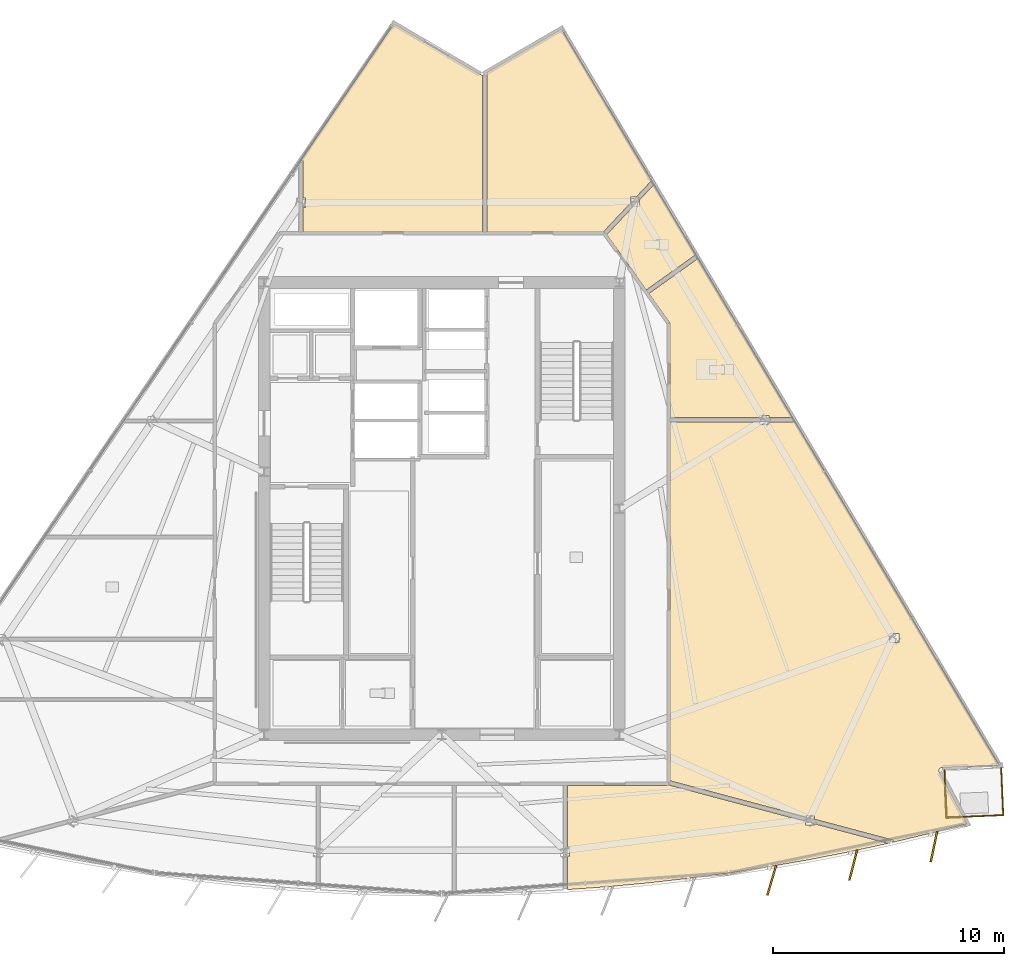
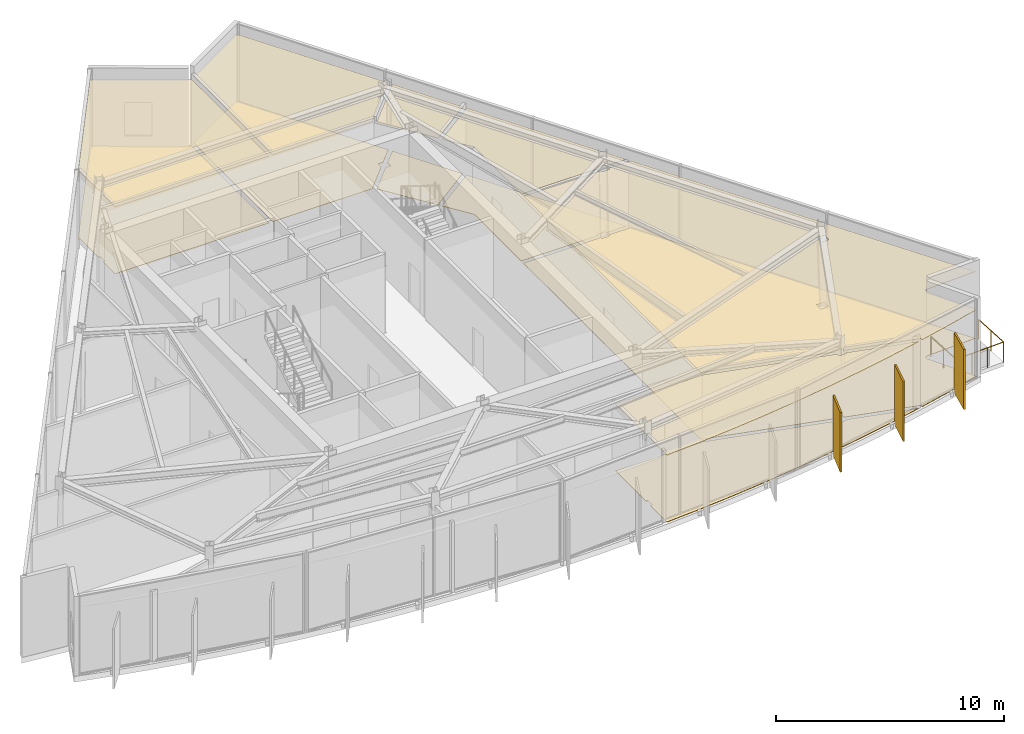
# One storey, part 11 of 12: 12 coverings, 3 railings, 3 shading devices.
"""IFC4 building model written with IfcOpenShell, lengths in metres."""

from ifc_helpers import new_model, si_unit, direction, frame, origin, origin_2d, place, context, subcontext, project, spatial, polyline, rectangle, circle, outline, extrude, material, layer, layer_set, type_object, element, save


model = new_model("IFC4")

# Units and contexts
model_context = context("Model", 3, precision=1e-05, world=origin(), true_north=direction((0.0, 1.0)))
body_context = subcontext(model_context, "Body", "Model", "MODEL_VIEW")
ifc_project = project(units=[si_unit("LENGTHUNIT", "METRE"), si_unit("AREAUNIT", "SQUARE_METRE"), si_unit("VOLUMEUNIT", "CUBIC_METRE"), si_unit("PLANEANGLEUNIT", "RADIAN"), si_unit("MASSUNIT", "GRAM", prefix="KILO")], contexts=[model_context])

# Site, building, storey
site_placement = place(None, origin())
site = spatial("IfcSite", under=ifc_project, at=site_placement, CompositionType="ELEMENT")
building_placement = place(site_placement, origin())
building = spatial("IfcBuilding", under=site, at=building_placement, Name="Savorim Split Tower", CompositionType="ELEMENT")
storey_placement = place(building_placement, frame((0.0, 0.0, 246.300048828125)))
storey = spatial("IfcBuildingStorey", under=building, at=storey_placement, Name="L65", CompositionType="ELEMENT", Elevation=246.300048828125)

# Coverings
ifc_material_1 = material(Name="Mineral Fibre Acoustic Ceiling")
ifc_layer_1 = layer(ifc_material_1, 0.02490234375)
ifc_layer_set_1 = layer_set([ifc_layer_1], Name="COV-CEIL-25")
covering_type_1 = type_object("IfcCoveringType", Name="COV-CEIL-25", PredefinedType="CEILING", material=ifc_layer_set_1)
covering_1_placement = place(storey_placement, frame((0.0, 0.0, 3.570068359375)))
element("IfcCovering", 1, at=covering_1_placement, inside=storey, type_object=covering_type_1, Name="L65 Co-Working Commons Acoustic Ceiling", PredefinedType="CEILING", context=body_context, shape_type="SweptSolid", body=[
    extrude(outline(polyline([(12.443359375, -15.390380859375), (14.2060546875, -15.117919921875), (15.962646484375, -14.80908203125), (17.712890625, -14.464599609375), (19.347900390625, -14.107666015625), (16.16162109375, -13.259765625), (16.16162109375, -13.304931640625), (15.767578125, -13.304931640625), (15.767578125, -13.15478515625), (9.859375, -11.58251953125), (9.819091796875, -11.57177734375), (9.81591796875, -11.573486328125), (9.8037109375, -11.579345703125), (9.79052734375, -11.583984375), (9.77734375, -11.58740234375), (9.763671875, -11.58935546875), (9.75, -11.590087890625), (5.445556640625, -11.590087890625), (5.445556640625, -14.275634765625), (5.547607421875, -14.275634765625), (5.547607421875, -14.667724609375), (5.445556640625, -14.667724609375), (5.445556640625, -16.068603515625), (5.445556640625, -16.112060546875), (7.126953125, -15.991455078125), (8.90283203125, -15.827392578125), (10.67529296875, -15.626953125), (12.443359375, -15.390380859375)])), origin(), (0.0, 0.0, 1.0), 0.02490234375),
])
covering_2_placement = place(storey_placement, frame((0.0, 0.0, 3.570068359375)))
element("IfcCovering", 2, at=covering_2_placement, inside=storey, type_object=covering_type_1, Name="L65 Co-Working Commons Acoustic Ceiling", PredefinedType="CEILING", context=body_context, shape_type="SweptSolid", body=[
    extrude(outline(polyline([(21.639404296875, -10.830810546875), (21.650634765625, -10.828857421875), (21.662109375, -10.82763671875), (24.16357421875, -10.72119140625), (15.300048828125, 4.184814453125), (15.300048828125, 4.151611328125), (14.192138671875, 4.151611328125), (14.192138671875, 4.050537109375), (13.798095703125, 4.050537109375), (13.798095703125, 4.151611328125), (9.889892578125, 4.151611328125), (9.889892578125, -11.39404296875), (15.767578125, -12.958251953125), (15.767578125, -12.9130859375), (16.16162109375, -12.9130859375), (16.16162109375, -13.06298828125), (19.469482421875, -13.943603515625), (19.561279296875, -13.968017578125), (19.535400390625, -14.065185546875), (21.18994140625, -13.668212890625), (22.769287109375, -13.25537109375), (21.5615234375, -11.00439453125), (21.556640625, -10.993896484375), (21.552734375, -10.983154296875), (21.5498046875, -10.971923828125), (21.548095703125, -10.96044921875), (21.54736328125, -10.948974609375), (21.547607421875, -10.9375), (21.54931640625, -10.926025390625), (21.552001953125, -10.914794921875), (21.5556640625, -10.90380859375), (21.560302734375, -10.893310546875), (21.56591796875, -10.88330078125), (21.57275390625, -10.873779296875), (21.580078125, -10.864990234375), (21.58837890625, -10.857177734375), (21.59765625, -10.849853515625), (21.607421875, -10.84375), (21.61767578125, -10.83837890625), (21.62841796875, -10.833984375), (21.639404296875, -10.830810546875)]), holes=[polyline([(19.816650390625, -5.408203125), (19.816650390625, -5.016357421875), (19.422607421875, -5.016357421875), (19.422607421875, -5.408203125), (19.816650390625, -5.408203125)])]), origin(), (0.0, 0.0, 1.0), 0.02490234375),
])
covering_3_placement = place(storey_placement, frame((0.0, 0.0, 3.570068359375)))
element("IfcCovering", 3, at=covering_3_placement, inside=storey, type_object=covering_type_1, Name="L65 Shared Bathroom Acoustic Ceiling", PredefinedType="CEILING", context=body_context, shape_type="SweptSolid", body=[
    extrude(outline(polyline([(14.192138671875, 4.442626953125), (14.192138671875, 4.341552734375), (15.205078125, 4.341552734375), (15.206787109375, 4.341552734375), (11.1044921875, 11.240478515625), (8.97802734375, 9.7216796875), (9.864013671875, 8.4814453125), (9.87158203125, 8.46923828125), (9.878173828125, 8.456298828125), (9.88330078125, 8.442626953125), (9.886962890625, 8.4287109375), (9.889404296875, 8.414306640625), (9.889892578125, 8.39990234375), (9.889892578125, 4.341552734375), (13.798095703125, 4.341552734375), (13.798095703125, 4.442626953125), (14.192138671875, 4.442626953125)])), origin(), (0.0, 0.0, 1.0), 0.02490234375),
])
covering_4_placement = place(storey_placement, frame((0.0, 0.0, 3.570068359375)))
element("IfcCovering", 4, at=covering_4_placement, inside=storey, type_object=covering_type_1, Name="L65 Accessible WC Acoustic Ceiling", PredefinedType="CEILING", context=body_context, shape_type="SweptSolid", body=[
    extrude(outline(polyline([(8.316650390625, 13.509521484375), (7.16552734375, 12.286376953125), (7.154541015625, 12.2744140625), (8.86767578125, 9.876220703125), (11.007080078125, 11.404541015625), (9.198486328125, 14.4462890625), (8.567626953125, 13.776123046875), (8.567626953125, 13.509521484375), (8.316650390625, 13.509521484375)])), origin(), (0.0, 0.0, 1.0), 0.02490234375),
])
covering_5_placement = place(storey_placement, frame((0.0, 0.0, 3.570068359375)))
element("IfcCovering", 5, at=covering_5_placement, inside=storey, type_object=covering_type_1, Name="L65 Co-Working Commons Acoustic Ceiling", PredefinedType="CEILING", context=body_context, shape_type="SweptSolid", body=[
    extrude(outline(polyline([(9.04296875, 14.55859375), (9.097412109375, 14.6162109375), (5.188720703125, 21.189697265625), (1.961669921875, 19.30908203125), (1.961669921875, 12.389892578125), (7.0, 12.389892578125), (7.002197265625, 12.389892578125), (8.173583984375, 13.634765625), (8.173583984375, 13.901611328125), (8.4248046875, 13.901611328125), (9.04296875, 14.55859375)])), origin(), (0.0, 0.0, 1.0), 0.02490234375),
])
covering_6_placement = place(storey_placement, frame((0.0, 0.0, 3.570068359375)))
element("IfcCovering", 6, at=covering_6_placement, inside=storey, type_object=covering_type_1, Name="L65 Co-Working Commons Acoustic Ceiling", PredefinedType="CEILING", context=body_context, shape_type="SweptSolid", body=[
    extrude(outline(polyline([(1.697265625, 19.2041015625), (1.6865234375, 19.20849609375), (1.676513671875, 19.213623046875), (-2.071533203125, 21.41650390625), (-6.101806640625, 15.491943359375), (-6.010986328125, 15.491943359375), (-6.010986328125, 13.8525390625), (-5.9091796875, 13.8525390625), (-5.9091796875, 13.460693359375), (-6.010986328125, 13.460693359375), (-6.010986328125, 12.389892578125), (1.771728515625, 12.389892578125), (1.771728515625, 19.202392578125), (1.765625, 19.20068359375), (1.75439453125, 19.198486328125), (1.742919921875, 19.197265625), (1.731201171875, 19.197265625), (1.7197265625, 19.198486328125), (1.70849609375, 19.20068359375), (1.697265625, 19.2041015625)])), origin(), (0.0, 0.0, 1.0), 0.02490234375),
])
ifc_material_2 = material(Name="Porcelain Stoneware Flooring", Category="masonry")
ifc_layer_2 = layer(ifc_material_2, 0.02001953125)
ifc_layer_set_2 = layer_set([ifc_layer_2], Name="COV-FLOR-20")
covering_type_2 = type_object("IfcCoveringType", Name="COV-FLOR-20", PredefinedType="FLOORING", material=ifc_layer_set_2)
covering_7_placement = place(storey_placement, origin())
element("IfcCovering", 7, at=covering_7_placement, inside=storey, type_object=covering_type_2, Name="L65 Co-Working Commons Porcelain Flooring", PredefinedType="FLOORING", context=body_context, shape_type="SweptSolid", body=[
    extrude(outline(polyline([(12.443359375, -15.390380859375), (14.2060546875, -15.117919921875), (15.962646484375, -14.80908203125), (17.712890625, -14.464599609375), (19.347900390625, -14.107666015625), (16.16162109375, -13.259765625), (16.16162109375, -13.304931640625), (15.767578125, -13.304931640625), (15.767578125, -13.15478515625), (9.859375, -11.58251953125), (9.819091796875, -11.57177734375), (9.81591796875, -11.573486328125), (9.8037109375, -11.579345703125), (9.79052734375, -11.583984375), (9.77734375, -11.58740234375), (9.763671875, -11.58935546875), (9.75, -11.590087890625), (5.445556640625, -11.590087890625), (5.445556640625, -14.275634765625), (5.547607421875, -14.275634765625), (5.547607421875, -14.667724609375), (5.445556640625, -14.667724609375), (5.445556640625, -16.068603515625), (5.445556640625, -16.112060546875), (7.126953125, -15.991455078125), (8.90283203125, -15.827392578125), (10.67529296875, -15.626953125), (12.443359375, -15.390380859375)])), origin(), (0.0, 0.0, 1.0), 0.02001953125),
])
covering_8_placement = place(storey_placement, origin())
element("IfcCovering", 8, at=covering_8_placement, inside=storey, type_object=covering_type_2, Name="L65 Co-Working Commons Porcelain Flooring", PredefinedType="FLOORING", context=body_context, shape_type="SweptSolid", body=[
    extrude(outline(polyline([(21.639404296875, -10.830810546875), (21.650634765625, -10.828857421875), (21.662109375, -10.82763671875), (24.16357421875, -10.72119140625), (15.300048828125, 4.184814453125), (15.300048828125, 4.151611328125), (14.192138671875, 4.151611328125), (14.192138671875, 4.050537109375), (13.798095703125, 4.050537109375), (13.798095703125, 4.151611328125), (9.889892578125, 4.151611328125), (9.889892578125, -11.39404296875), (15.767578125, -12.958251953125), (15.767578125, -12.9130859375), (16.16162109375, -12.9130859375), (16.16162109375, -13.06298828125), (19.469482421875, -13.943603515625), (19.561279296875, -13.968017578125), (19.535400390625, -14.065185546875), (21.18994140625, -13.668212890625), (22.769287109375, -13.25537109375), (21.5615234375, -11.00439453125), (21.556640625, -10.993896484375), (21.552734375, -10.983154296875), (21.5498046875, -10.971923828125), (21.548095703125, -10.96044921875), (21.54736328125, -10.948974609375), (21.547607421875, -10.9375), (21.54931640625, -10.926025390625), (21.552001953125, -10.914794921875), (21.5556640625, -10.90380859375), (21.560302734375, -10.893310546875), (21.56591796875, -10.88330078125), (21.57275390625, -10.873779296875), (21.580078125, -10.864990234375), (21.58837890625, -10.857177734375), (21.59765625, -10.849853515625), (21.607421875, -10.84375), (21.61767578125, -10.83837890625), (21.62841796875, -10.833984375), (21.639404296875, -10.830810546875)]), holes=[polyline([(19.816650390625, -5.408203125), (19.816650390625, -5.016357421875), (19.422607421875, -5.016357421875), (19.422607421875, -5.408203125), (19.816650390625, -5.408203125)])]), origin(), (0.0, 0.0, 1.0), 0.02001953125),
])
covering_9_placement = place(storey_placement, origin())
element("IfcCovering", 9, at=covering_9_placement, inside=storey, type_object=covering_type_2, Name="L65 Shared Bathroom Porcelain Flooring", PredefinedType="FLOORING", context=body_context, shape_type="SweptSolid", body=[
    extrude(outline(polyline([(14.192138671875, 4.442626953125), (14.192138671875, 4.341552734375), (15.205078125, 4.341552734375), (15.206787109375, 4.341552734375), (11.1044921875, 11.240478515625), (8.97802734375, 9.7216796875), (9.864013671875, 8.4814453125), (9.87158203125, 8.46923828125), (9.878173828125, 8.456298828125), (9.88330078125, 8.442626953125), (9.886962890625, 8.4287109375), (9.889404296875, 8.414306640625), (9.889892578125, 8.39990234375), (9.889892578125, 4.341552734375), (13.798095703125, 4.341552734375), (13.798095703125, 4.442626953125), (14.192138671875, 4.442626953125)])), origin(), (0.0, 0.0, 1.0), 0.02001953125),
])
covering_10_placement = place(storey_placement, origin())
element("IfcCovering", 10, at=covering_10_placement, inside=storey, type_object=covering_type_2, Name="L65 Accessible WC Porcelain Flooring", PredefinedType="FLOORING", context=body_context, shape_type="SweptSolid", body=[
    extrude(outline(polyline([(8.316650390625, 13.509521484375), (7.16552734375, 12.286376953125), (7.154541015625, 12.2744140625), (8.86767578125, 9.876220703125), (11.007080078125, 11.404541015625), (9.198486328125, 14.4462890625), (8.567626953125, 13.776123046875), (8.567626953125, 13.509521484375), (8.316650390625, 13.509521484375)])), origin(), (0.0, 0.0, 1.0), 0.02001953125),
])
covering_11_placement = place(storey_placement, origin())
element("IfcCovering", 11, at=covering_11_placement, inside=storey, type_object=covering_type_2, Name="L65 Co-Working Commons Porcelain Flooring", PredefinedType="FLOORING", context=body_context, shape_type="SweptSolid", body=[
    extrude(outline(polyline([(9.04296875, 14.55859375), (9.097412109375, 14.6162109375), (5.188720703125, 21.189697265625), (1.961669921875, 19.30908203125), (1.961669921875, 12.389892578125), (7.0, 12.389892578125), (7.002197265625, 12.389892578125), (8.173583984375, 13.634765625), (8.173583984375, 13.901611328125), (8.4248046875, 13.901611328125), (9.04296875, 14.55859375)])), origin(), (0.0, 0.0, 1.0), 0.02001953125),
])
covering_12_placement = place(storey_placement, origin())
element("IfcCovering", 12, at=covering_12_placement, inside=storey, type_object=covering_type_2, Name="L65 Co-Working Commons Porcelain Flooring", PredefinedType="FLOORING", context=body_context, shape_type="SweptSolid", body=[
    extrude(outline(polyline([(1.697265625, 19.2041015625), (1.6865234375, 19.20849609375), (1.676513671875, 19.213623046875), (-2.071533203125, 21.41650390625), (-6.101806640625, 15.491943359375), (-6.010986328125, 15.491943359375), (-6.010986328125, 13.8525390625), (-5.9091796875, 13.8525390625), (-5.9091796875, 13.460693359375), (-6.010986328125, 13.460693359375), (-6.010986328125, 12.389892578125), (1.771728515625, 12.389892578125), (1.771728515625, 19.202392578125), (1.765625, 19.20068359375), (1.75439453125, 19.198486328125), (1.742919921875, 19.197265625), (1.731201171875, 19.197265625), (1.7197265625, 19.198486328125), (1.70849609375, 19.20068359375), (1.697265625, 19.2041015625)])), origin(), (0.0, 0.0, 1.0), 0.02001953125),
])

# Railings
ifc_material_3 = material(Name="Galvanised Painted Steel Balustrade", Category="steel")
railing_type = type_object("IfcRailingType", Name="RLG-BAL-1100", PredefinedType="BALUSTRADE", material=ifc_material_3)
railing_1_placement = place(storey_placement, frame((24.24951171875, -10.837646484375, 0.0)))
element("IfcRailing", 13, at=railing_1_placement, inside=storey, type_object=railing_type, Name="L65 Tree Balcony Guardrail SE-1", PredefinedType="BALUSTRADE", context=body_context, shape_type="SweptSolid", body=[
    extrude(circle(Radius=0.02392578125, at=origin_2d()), frame((0.0, 0.0, 1.076171875), z_axis=(0.042517246, -0.999095733047, 0.0), x_axis=(0.999095733047, 0.042517246, 0.0)), (0.0, 0.0, 1.0), 2.050048828125),
    extrude(circle(Radius=0.02099609375, at=origin_2d()), origin(), (0.0, 0.0, 1.0), 1.052001953125),
    extrude(circle(Radius=0.02099609375, at=origin_2d()), frame((0.04345703125, -1.02392578125, 0.0)), (0.0, 0.0, 1.0), 1.052001953125),
    extrude(circle(Radius=0.02099609375, at=origin_2d()), frame((0.087158203125, -2.048095703125, 0.0)), (0.0, 0.0, 1.0), 1.052001953125),
])
railing_2_placement = place(storey_placement, frame((24.336669921875, -12.8857421875, 0.0)))
element("IfcRailing", 14, at=railing_2_placement, inside=storey, type_object=railing_type, Name="L65 Tree Balcony Guardrail SE-2", PredefinedType="BALUSTRADE", context=body_context, shape_type="SweptSolid", body=[
    extrude(circle(Radius=0.02392578125, at=origin_2d()), frame((0.0, 0.0, 1.076171875), z_axis=(-0.999096467301, -0.042499988545, 0.0), x_axis=(0.042499988545, -0.999096467301, 0.0)), (0.0, 0.0, 1.0), 2.46435546875),
    extrude(circle(Radius=0.02099609375, at=origin_2d()), origin(), (0.0, 0.0, 1.0), 1.052001953125),
    extrude(circle(Radius=0.02099609375, at=origin_2d()), frame((-0.82080078125, -0.034912109375, 0.0)), (0.0, 0.0, 1.0), 1.052001953125),
    extrude(circle(Radius=0.02099609375, at=origin_2d()), frame((-1.641357421875, -0.06982421875, 0.0)), (0.0, 0.0, 1.0), 1.052001953125),
    extrude(circle(Radius=0.02099609375, at=origin_2d()), frame((-2.462158203125, -0.104736328125, 0.0)), (0.0, 0.0, 1.0), 1.052001953125),
])
railing_3_placement = place(storey_placement, frame((21.87451171875, -12.990478515625, 0.0)))
element("IfcRailing", 15, at=railing_3_placement, inside=storey, type_object=railing_type, Name="L65 Tree Balcony Guardrail SE-3", PredefinedType="BALUSTRADE", context=body_context, shape_type="SweptSolid", body=[
    extrude(circle(Radius=0.02392578125, at=origin_2d()), frame((0.0, 0.0, 1.076171875), z_axis=(-0.042636125732, 0.999090666948, 0.0), x_axis=(-0.999090666948, -0.042636125732, 0.0)), (0.0, 0.0, 1.0), 2.050048828125),
    extrude(circle(Radius=0.02099609375, at=origin_2d()), origin(), (0.0, 0.0, 1.0), 1.052001953125),
    extrude(circle(Radius=0.02099609375, at=origin_2d()), frame((-0.043701171875, 1.02392578125, 0.0)), (0.0, 0.0, 1.0), 1.052001953125),
    extrude(circle(Radius=0.02099609375, at=origin_2d()), frame((-0.08740234375, 2.048095703125, 0.0)), (0.0, 0.0, 1.0), 1.052001953125),
])

# Shading devices
ifc_material_4 = material(Name="Terracotta Ceramic-Coated Aluminium Fin", Category="masonry")
shading_device_type = type_object("IfcShadingDeviceType", Name="SHD-FIN-1360", PredefinedType="USERDEFINED", material=ifc_material_4)
for number, where, z_axis, x_axis, name in (
    (16, (14.302978515625, -15.705810546875, -0.2001953125), (0.0, 0.0, 1.0), (-0.286026212504, -0.958221793616, 0.0), "L65 Sawtooth Shading Fin 11"),
    (17, (17.833984375, -15.048095703125, -0.2001953125), (0.0, 0.0, 1.0), (-0.246581250663, -0.969122121727, 0.0), "L65 Sawtooth Shading Fin 12"),
    (18, (21.3349609375, -14.246337890625, -0.2001953125), (0.0, 0.0, 1.0), (-0.206721626106, -0.978399800337, 0.0), "L65 Sawtooth Shading Fin 13"),
):
    element("IfcShadingDevice", number, at=place(storey_placement, frame(where, z_axis=z_axis, x_axis=x_axis)), inside=storey, type_object=shading_device_type, Name=name, ObjectType="FIN", PredefinedType="USERDEFINED", context=body_context, shape_type="SweptSolid", body=[
        extrude(rectangle(XDim=1.360107421875, YDim=0.080078125, at=origin_2d()), origin(), (0.0, 0.0, 1.0), 3.199951171875),
    ])

save(model, "model.ifc")
